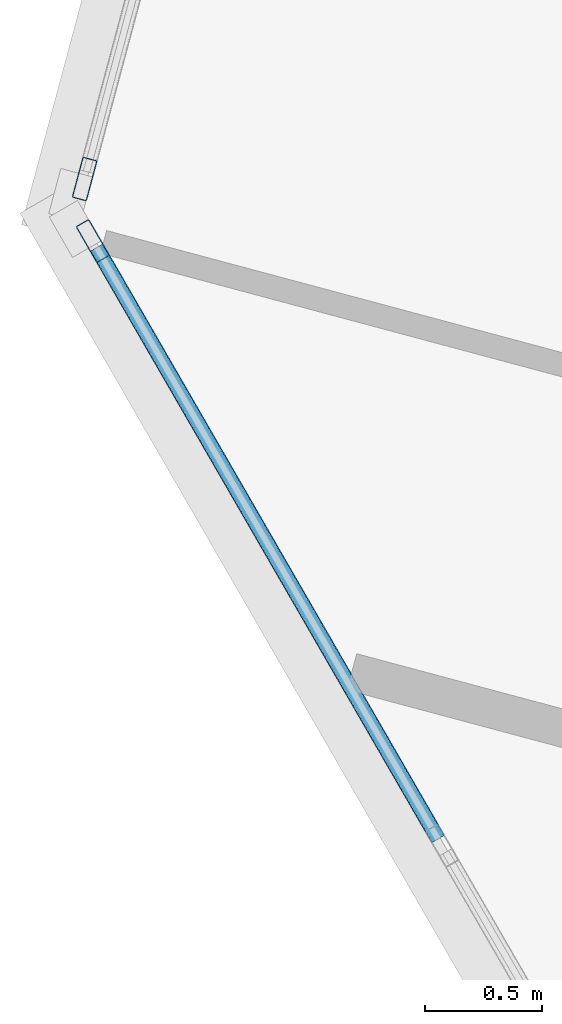
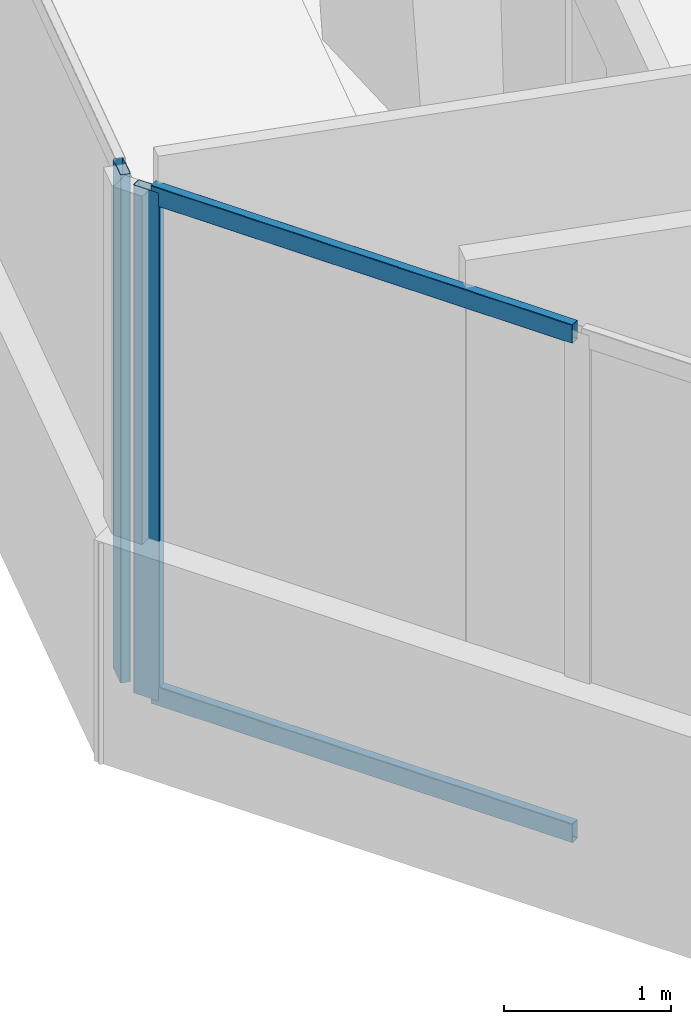
# One storey, part 3 of 26: 4 members, 2 elements without a shape of their own.
"""IFC4 building model written with IfcOpenShell, lengths in metres."""

from ifc_helpers import new_model, si_unit, direction, frame, origin, origin_2d, place, context, subcontext, project, spatial, hollow_rectangle, extrude, source, transform, mapped, material, material_profile, profile_set, type_object, element, aggregate, save


model = new_model("IFC4")

# Units and contexts
model_context = context("Model", 3, precision=1e-05, world=origin(), true_north=direction((0.0, 1.0)))
body_context = subcontext(model_context, "Body", "Model", "MODEL_VIEW")
ifc_project = project(units=[si_unit("LENGTHUNIT", "METRE"), si_unit("AREAUNIT", "SQUARE_METRE"), si_unit("VOLUMEUNIT", "CUBIC_METRE"), si_unit("PLANEANGLEUNIT", "RADIAN"), si_unit("MASSUNIT", "GRAM", prefix="KILO")], contexts=[model_context])

# Site, building, storey
site_placement = place(None, origin())
site = spatial("IfcSite", under=ifc_project, at=site_placement, CompositionType="ELEMENT")
building_placement = place(site_placement, origin())
building = spatial("IfcBuilding", under=site, at=building_placement, Name="Torre Montelarca", CompositionType="ELEMENT")
storey_placement = place(building_placement, frame((0.0, 0.0, 104.199951171875)))
storey = spatial("IfcBuildingStorey", under=building, at=storey_placement, Name="L23", CompositionType="ELEMENT", Elevation=104.199951171875)

# Curtain wall, members
ifc_material_1 = material(Name="Insulated low-E laminated glass", Category="glass")
curtain_wall_type = type_object("IfcCurtainWallType", Name="CW-SYS-Z1", PredefinedType="USERDEFINED", material=ifc_material_1)
curtain_wall_1_placement = place(storey_placement, origin())
curtain_wall_1 = element("IfcCurtainWall", 1, at=curtain_wall_1_placement, inside=storey, type_object=curtain_wall_type, Name="L23 Curtain Wall Run CW-T3-L23-E11-B1", ObjectType="UNITISED GLAZING", PredefinedType="USERDEFINED")
ifc_material_2 = material(Name="Anodised aluminium AA 6063-T6", Category="aluminium")
ifc_material_profile_1 = material_profile(ifc_material_2, hollow_rectangle(XDim=0.06494140625, YDim=0.139892578125, WallThickness=0.00390625, InnerFilletRadius=0.00390625, OuterFilletRadius=0.008056640625, at=origin_2d()), Name="ALU65X140X4", Category="aluminium")
ifc_profile_set_1 = profile_set([ifc_material_profile_1], Name="Anodised aluminium AA 6063-T6")
member_type_1 = type_object("IfcMemberType", Name="CWT-ALU140", PredefinedType="USERDEFINED", material=ifc_profile_set_1)
shared_shape_1 = source(origin(), body_context, "Body", "SweptSolid", [
    extrude(hollow_rectangle(XDim=0.06494140625, YDim=0.139892578125, WallThickness=0.00390625, InnerFilletRadius=0.00390625, OuterFilletRadius=0.008056640625, at=origin_2d()), origin(), (0.0, 0.0, 1.0), 2.91845703125),
])
member_1_placement = place(storey_placement, frame((-1.8125, 23.989501953125, 0.032470703125), z_axis=(0.499980718146, -0.866036535882, 0.0), x_axis=(0.866036535882, 0.499980718146, 0.0)))
member_1 = element("IfcMember", 2, at=member_1_placement, type_object=member_type_1, Name="CW transom 1.1", ObjectType="TRANSOM", PredefinedType="USERDEFINED", context=body_context, shape_type="MappedRepresentation", body=[
    mapped(shared_shape_1, transform((0.0, 0.0, 0.0), scale=1.0)),
])
member_2_placement = place(storey_placement, frame((-1.8125, 23.989501953125, 3.6875), z_axis=(0.499980718146, -0.866036535882, 0.0), x_axis=(0.866036535882, 0.499980718146, 0.0)))
member_2 = element("IfcMember", 3, at=member_2_placement, type_object=member_type_1, Name="CW transom 1.2", ObjectType="TRANSOM", PredefinedType="USERDEFINED", context=body_context, shape_type="MappedRepresentation", body=[
    mapped(shared_shape_1, transform((0.0, 0.0, 0.0), scale=1.0)),
])

# Curtain wall, member
curtain_wall_2_placement = place(storey_placement, origin())
curtain_wall_2 = element("IfcCurtainWall", 4, at=curtain_wall_2_placement, inside=storey, type_object=curtain_wall_type, Name="L23 Curtain Wall Run CW-T3-L23-E10-B1", ObjectType="UNITISED GLAZING", PredefinedType="USERDEFINED")
ifc_material_profile_2 = material_profile(ifc_material_2, hollow_rectangle(XDim=0.06494140625, YDim=0.179931640625, WallThickness=0.00390625, InnerFilletRadius=0.00390625, OuterFilletRadius=0.008056640625, at=origin_2d()), Name="ALU65X180X4", Category="aluminium")
ifc_profile_set_2 = profile_set([ifc_material_profile_2], Name="Anodised aluminium AA 6063-T6")
member_type_2 = type_object("IfcMemberType", Name="CWM-ALU180", PredefinedType="MULLION", material=ifc_profile_set_2)
shared_shape_2 = source(origin(), body_context, "Body", "SweptSolid", [
    extrude(hollow_rectangle(XDim=0.06494140625, YDim=0.179931640625, WallThickness=0.00390625, InnerFilletRadius=0.00390625, OuterFilletRadius=0.008056640625, at=origin_2d()), origin(), (0.0, 0.0, 1.0), 3.719970703125),
])
member_3_placement = place(storey_placement, frame((-1.863525390625, 24.282470703125, 0.0), z_axis=(0.0, 0.0, 1.0), x_axis=(0.965926043153, -0.258818235755, 0.0)))
member_3 = element("IfcMember", 5, at=member_3_placement, type_object=member_type_2, Name="CW mullion 3", PredefinedType="MULLION", context=body_context, shape_type="MappedRepresentation", body=[
    mapped(shared_shape_2, transform((0.0, 0.0, 0.0), scale=1.0)),
])
aggregate(curtain_wall_2, [member_3])

# Member
member_4_placement = place(storey_placement, frame((-1.828857421875, 24.017578125, 0.0), z_axis=(0.0, 0.0, 1.0), x_axis=(0.866024921148, 0.50000083595, 0.0)))
member_4 = element("IfcMember", 6, at=member_4_placement, type_object=member_type_2, Name="CW mullion 1", PredefinedType="MULLION", context=body_context, shape_type="MappedRepresentation", body=[
    mapped(shared_shape_2, transform((0.0, 0.0, 0.0), scale=1.0)),
])

aggregate(curtain_wall_1, [member_4, member_1, member_2])

save(model, "model.ifc")
